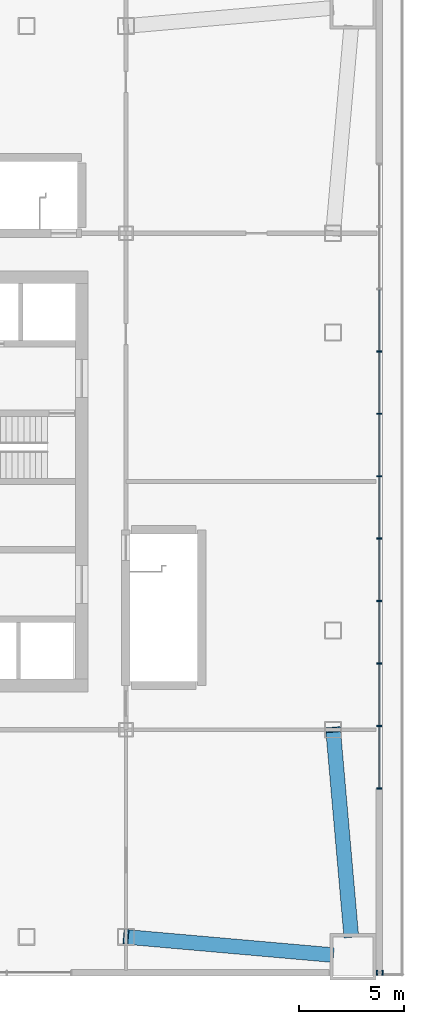
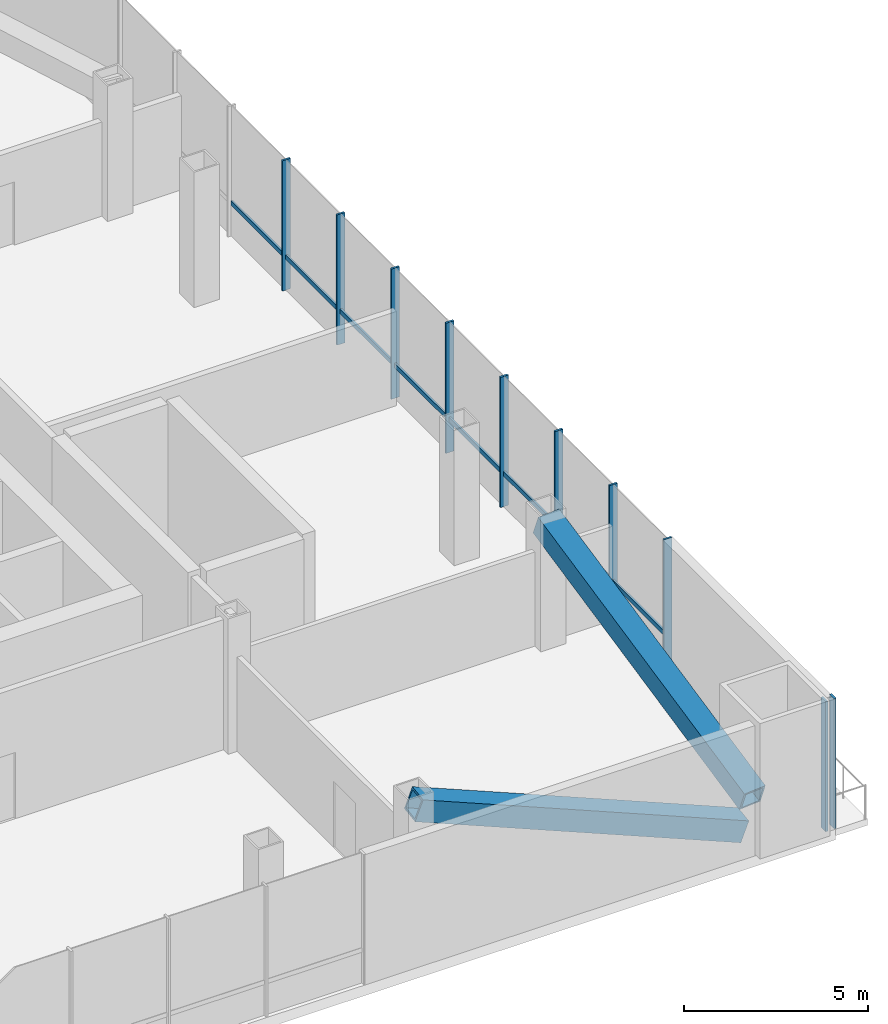
# One storey, part 3 of 15: 20 members, 2 elements without a shape of their own.
"""IFC4 building model written with IfcOpenShell, lengths in metres."""

from ifc_helpers import new_model, si_unit, direction, frame, origin, origin_2d, place, context, subcontext, project, spatial, rectangle, hollow_rectangle, extrude, material, material_profile, profile_set, type_object, element, aggregate, save


model = new_model("IFC4")

# Units and contexts
model_context = context("Model", 3, precision=1e-05, world=origin(), true_north=direction((0.0, 1.0)))
body_context = subcontext(model_context, "Body", "Model", "MODEL_VIEW")
ifc_project = project(units=[si_unit("LENGTHUNIT", "METRE"), si_unit("AREAUNIT", "SQUARE_METRE"), si_unit("VOLUMEUNIT", "CUBIC_METRE"), si_unit("PLANEANGLEUNIT", "RADIAN"), si_unit("MASSUNIT", "GRAM", prefix="KILO")], contexts=[model_context])

# Site, building, storey
site_placement = place(None, origin())
site = spatial("IfcSite", under=ifc_project, at=site_placement, CompositionType="ELEMENT")
building_placement = place(site_placement, origin())
building = spatial("IfcBuilding", under=site, at=building_placement, Name="Turquesa Mirador Hotel Tower", CompositionType="ELEMENT")
storey_placement = place(building_placement, frame((0.0, 0.0, 20.5)))
storey = spatial("IfcBuildingStorey", under=building, at=storey_placement, Name="L04", CompositionType="ELEMENT", Elevation=20.5)

# Curtain wall, members
ifc_material_1 = material(Name="Aluminium extrusion", Category="aluminium")
curtain_wall_type = type_object("IfcCurtainWallType", Name="CW-3 PODIUM UPPER CURTAIN WALL", PredefinedType="USERDEFINED", material=ifc_material_1)
curtain_wall_1_placement = place(storey_placement, origin())
curtain_wall_1 = element("IfcCurtainWall", 1, at=curtain_wall_1_placement, inside=storey, type_object=curtain_wall_type, Name="CW-3 PODIUM UPPER CURTAIN WALL L04", ObjectType="CURTAIN WALL", PredefinedType="USERDEFINED")
ifc_material_2 = material(Name="Aluminium extrusion", Category="aluminium")
ifc_material_profile_1 = material_profile(ifc_material_2, rectangle(XDim=0.06494140625, YDim=0.25, at=origin_2d()), Name="MULLION 65X250")
ifc_profile_set_1 = profile_set([ifc_material_profile_1], Name="Aluminium extrusion")
member_type_1 = type_object("IfcMemberType", Name="CW MULLION 65X250", PredefinedType="MULLION", material=ifc_profile_set_1)
member_1_placement = place(storey_placement, frame((78.734619140625, 21.64990234375, 0.0), z_axis=(0.0, 0.0, 1.0), x_axis=(1.0, 0.0, 0.0)))
member_1 = element("IfcMember", 2, at=member_1_placement, type_object=member_type_1, Name="Mullion", PredefinedType="MULLION", context=body_context, shape_type="SweptSolid", body=[
    extrude(rectangle(XDim=0.06494140625, YDim=0.25, at=origin_2d()), origin(), (0.0, 0.0, 1.0), 4.330078125),
])
member_2_placement = place(storey_placement, frame((79.0, 21.64990234375, 0.0), z_axis=(0.0, 0.0, 1.0), x_axis=(1.0, 0.0, 0.0)))
member_2 = element("IfcMember", 3, at=member_2_placement, type_object=member_type_1, Name="Mullion", PredefinedType="MULLION", context=body_context, shape_type="SweptSolid", body=[
    extrude(rectangle(XDim=0.06494140625, YDim=0.25, at=origin_2d()), origin(), (0.0, 0.0, 1.0), 4.330078125),
])
aggregate(curtain_wall_1, [member_1, member_2])

curtain_wall_2_placement = place(storey_placement, origin())
curtain_wall_2 = element("IfcCurtainWall", 4, at=curtain_wall_2_placement, inside=storey, type_object=curtain_wall_type, Name="CW-3 PODIUM UPPER CURTAIN WALL L04", ObjectType="CURTAIN WALL", PredefinedType="USERDEFINED")
member_3_placement = place(storey_placement, frame((78.85009765625, 30.40625, 0.0), z_axis=(0.0, 0.0, 1.0), x_axis=(0.0, 1.0, 0.0)))
member_3 = element("IfcMember", 5, at=member_3_placement, type_object=member_type_1, Name="Mullion", PredefinedType="MULLION", context=body_context, shape_type="SweptSolid", body=[
    extrude(rectangle(XDim=0.06494140625, YDim=0.25, at=origin_2d()), origin(), (0.0, 0.0, 1.0), 4.330078125),
])
member_4_placement = place(storey_placement, frame((78.85009765625, 33.375, 0.0), z_axis=(0.0, 0.0, 1.0), x_axis=(0.0, 1.0, 0.0)))
member_4 = element("IfcMember", 6, at=member_4_placement, type_object=member_type_1, Name="Mullion", PredefinedType="MULLION", context=body_context, shape_type="SweptSolid", body=[
    extrude(rectangle(XDim=0.06494140625, YDim=0.25, at=origin_2d()), origin(), (0.0, 0.0, 1.0), 4.330078125),
])
member_5_placement = place(storey_placement, frame((78.85009765625, 36.34375, 0.0), z_axis=(0.0, 0.0, 1.0), x_axis=(0.0, 1.0, 0.0)))
member_5 = element("IfcMember", 7, at=member_5_placement, type_object=member_type_1, Name="Mullion", PredefinedType="MULLION", context=body_context, shape_type="SweptSolid", body=[
    extrude(rectangle(XDim=0.06494140625, YDim=0.25, at=origin_2d()), origin(), (0.0, 0.0, 1.0), 4.330078125),
])
member_6_placement = place(storey_placement, frame((78.85009765625, 39.3125, 0.0), z_axis=(0.0, 0.0, 1.0), x_axis=(0.0, 1.0, 0.0)))
member_6 = element("IfcMember", 8, at=member_6_placement, type_object=member_type_1, Name="Mullion", PredefinedType="MULLION", context=body_context, shape_type="SweptSolid", body=[
    extrude(rectangle(XDim=0.06494140625, YDim=0.25, at=origin_2d()), origin(), (0.0, 0.0, 1.0), 4.330078125),
])
member_7_placement = place(storey_placement, frame((78.85009765625, 42.28125, 0.0), z_axis=(0.0, 0.0, 1.0), x_axis=(0.0, 1.0, 0.0)))
member_7 = element("IfcMember", 9, at=member_7_placement, type_object=member_type_1, Name="Mullion", PredefinedType="MULLION", context=body_context, shape_type="SweptSolid", body=[
    extrude(rectangle(XDim=0.06494140625, YDim=0.25, at=origin_2d()), origin(), (0.0, 0.0, 1.0), 4.330078125),
])
member_8_placement = place(storey_placement, frame((78.85009765625, 45.25, 0.0), z_axis=(0.0, 0.0, 1.0), x_axis=(0.0, 1.0, 0.0)))
member_8 = element("IfcMember", 10, at=member_8_placement, type_object=member_type_1, Name="Mullion", PredefinedType="MULLION", context=body_context, shape_type="SweptSolid", body=[
    extrude(rectangle(XDim=0.06494140625, YDim=0.25, at=origin_2d()), origin(), (0.0, 0.0, 1.0), 4.330078125),
])
member_9_placement = place(storey_placement, frame((78.85009765625, 48.21875, 0.0), z_axis=(0.0, 0.0, 1.0), x_axis=(0.0, 1.0, 0.0)))
member_9 = element("IfcMember", 11, at=member_9_placement, type_object=member_type_1, Name="Mullion", PredefinedType="MULLION", context=body_context, shape_type="SweptSolid", body=[
    extrude(rectangle(XDim=0.06494140625, YDim=0.25, at=origin_2d()), origin(), (0.0, 0.0, 1.0), 4.330078125),
])
member_10_placement = place(storey_placement, frame((78.85009765625, 51.1875, 0.0), z_axis=(0.0, 0.0, 1.0), x_axis=(0.0, 1.0, 0.0)))
member_10 = element("IfcMember", 12, at=member_10_placement, type_object=member_type_1, Name="Mullion", PredefinedType="MULLION", context=body_context, shape_type="SweptSolid", body=[
    extrude(rectangle(XDim=0.06494140625, YDim=0.25, at=origin_2d()), origin(), (0.0, 0.0, 1.0), 4.330078125),
])
ifc_material_3 = material(Name="Aluminium extrusion", Category="aluminium")
ifc_material_profile_2 = material_profile(ifc_material_3, rectangle(XDim=0.06494140625, YDim=0.14990234375, at=origin_2d()), Name="TRANSOM 65X150")
ifc_profile_set_2 = profile_set([ifc_material_profile_2], Name="Aluminium extrusion")
member_type_2 = type_object("IfcMemberType", Name="CW TRANSOM 65X150", PredefinedType="USERDEFINED", material=ifc_profile_set_2)
member_11_placement = place(storey_placement, frame((78.85009765625, 30.438720703125, 1.10009765625), z_axis=(0.0, 1.0, 0.0), x_axis=(-1.0, 0.0, 0.0)))
member_11 = element("IfcMember", 13, at=member_11_placement, type_object=member_type_2, Name="Transom", ObjectType="TRANSOM", PredefinedType="USERDEFINED", context=body_context, shape_type="SweptSolid", body=[
    extrude(rectangle(XDim=0.06494140625, YDim=0.14990234375, at=origin_2d()), origin(), (0.0, 0.0, 1.0), 2.90380859375),
])
member_12_placement = place(storey_placement, frame((78.85009765625, 33.407470703125, 1.10009765625), z_axis=(0.0, 1.0, 0.0), x_axis=(-1.0, 0.0, 0.0)))
member_12 = element("IfcMember", 14, at=member_12_placement, type_object=member_type_2, Name="Transom", ObjectType="TRANSOM", PredefinedType="USERDEFINED", context=body_context, shape_type="SweptSolid", body=[
    extrude(rectangle(XDim=0.06494140625, YDim=0.14990234375, at=origin_2d()), origin(), (0.0, 0.0, 1.0), 2.90380859375),
])
member_13_placement = place(storey_placement, frame((78.85009765625, 36.376220703125, 1.10009765625), z_axis=(0.0, 1.0, 0.0), x_axis=(-1.0, 0.0, 0.0)))
member_13 = element("IfcMember", 15, at=member_13_placement, type_object=member_type_2, Name="Transom", ObjectType="TRANSOM", PredefinedType="USERDEFINED", context=body_context, shape_type="SweptSolid", body=[
    extrude(rectangle(XDim=0.06494140625, YDim=0.14990234375, at=origin_2d()), origin(), (0.0, 0.0, 1.0), 2.90380859375),
])
member_14_placement = place(storey_placement, frame((78.85009765625, 39.344970703125, 1.10009765625), z_axis=(0.0, 1.0, 0.0), x_axis=(-1.0, 0.0, 0.0)))
member_14 = element("IfcMember", 16, at=member_14_placement, type_object=member_type_2, Name="Transom", ObjectType="TRANSOM", PredefinedType="USERDEFINED", context=body_context, shape_type="SweptSolid", body=[
    extrude(rectangle(XDim=0.06494140625, YDim=0.14990234375, at=origin_2d()), origin(), (0.0, 0.0, 1.0), 2.90380859375),
])
member_15_placement = place(storey_placement, frame((78.85009765625, 42.313720703125, 1.10009765625), z_axis=(0.0, 1.0, 0.0), x_axis=(-1.0, 0.0, 0.0)))
member_15 = element("IfcMember", 17, at=member_15_placement, type_object=member_type_2, Name="Transom", ObjectType="TRANSOM", PredefinedType="USERDEFINED", context=body_context, shape_type="SweptSolid", body=[
    extrude(rectangle(XDim=0.06494140625, YDim=0.14990234375, at=origin_2d()), origin(), (0.0, 0.0, 1.0), 2.90380859375),
])
member_16_placement = place(storey_placement, frame((78.85009765625, 45.282470703125, 1.10009765625), z_axis=(0.0, 1.0, 0.0), x_axis=(-1.0, 0.0, 0.0)))
member_16 = element("IfcMember", 18, at=member_16_placement, type_object=member_type_2, Name="Transom", ObjectType="TRANSOM", PredefinedType="USERDEFINED", context=body_context, shape_type="SweptSolid", body=[
    extrude(rectangle(XDim=0.06494140625, YDim=0.14990234375, at=origin_2d()), origin(), (0.0, 0.0, 1.0), 2.90380859375),
])
member_17_placement = place(storey_placement, frame((78.85009765625, 48.251220703125, 1.10009765625), z_axis=(0.0, 1.0, 0.0), x_axis=(-1.0, 0.0, 0.0)))
member_17 = element("IfcMember", 19, at=member_17_placement, type_object=member_type_2, Name="Transom", ObjectType="TRANSOM", PredefinedType="USERDEFINED", context=body_context, shape_type="SweptSolid", body=[
    extrude(rectangle(XDim=0.06494140625, YDim=0.14990234375, at=origin_2d()), origin(), (0.0, 0.0, 1.0), 2.90380859375),
])
member_18_placement = place(storey_placement, frame((78.85009765625, 51.219970703125, 1.10009765625), z_axis=(0.0, 1.0, 0.0), x_axis=(-1.0, 0.0, 0.0)))
member_18 = element("IfcMember", 20, at=member_18_placement, type_object=member_type_2, Name="Transom", ObjectType="TRANSOM", PredefinedType="USERDEFINED", context=body_context, shape_type="SweptSolid", body=[
    extrude(rectangle(XDim=0.06494140625, YDim=0.14990234375, at=origin_2d()), origin(), (0.0, 0.0, 1.0), 2.90380859375),
])
aggregate(curtain_wall_2, [member_3, member_4, member_5, member_6, member_7, member_8, member_9, member_10, member_11, member_12, member_13, member_14, member_15, member_16, member_17, member_18])

# Members
ifc_material_4 = material(Name="Steel ASTM A572 Grade 50", Category="steel")
ifc_material_profile_3 = material_profile(ifc_material_4, hollow_rectangle(XDim=0.699951171875, YDim=0.699951171875, WallThickness=0.06005859375, at=origin_2d()), Name="BOX700X700X60")
ifc_profile_set_3 = profile_set([ifc_material_profile_3], Name="Steel ASTM A572 Grade 50")
member_type_3 = type_object("IfcMemberType", Name="PODIUM BRACE BOX700X700X60", PredefinedType="BRACE", material=ifc_profile_set_3)
for number, where, z_axis, x_axis, name in (
    (21, (76.550048828125, 22.492431640625, 0.386962890625), (-0.935134607955, 0.082259812644, 0.344610777876), (-0.087627369437, -0.996153323603, 0.0), "Podium brace S"),
    (22, (77.507568359375, 23.449951171875, 0.386962890625), (-0.082259812644, 0.935134607955, 0.344610777876), (-0.996153323603, -0.087627369437, 0.0), "Podium brace E"),
):
    element("IfcMember", number, at=place(storey_placement, frame(where, z_axis=z_axis, x_axis=x_axis)), inside=storey, type_object=member_type_3, Name=name, PredefinedType="BRACE", context=body_context, shape_type="SweptSolid", body=[
        extrude(hollow_rectangle(XDim=0.699951171875, YDim=0.699951171875, WallThickness=0.06005859375, at=origin_2d()), origin(), (0.0, 0.0, 1.0), 10.42626953125),
    ])

save(model, "model.ifc")
